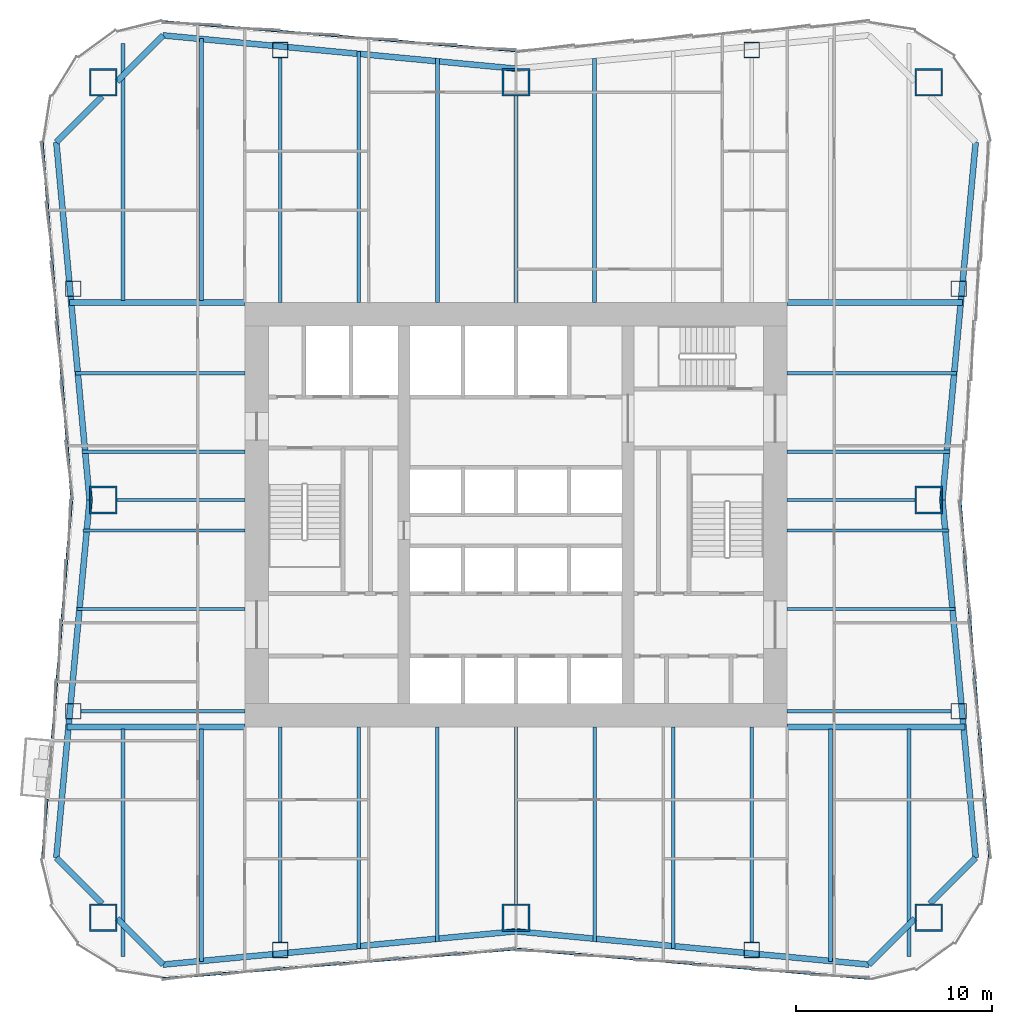
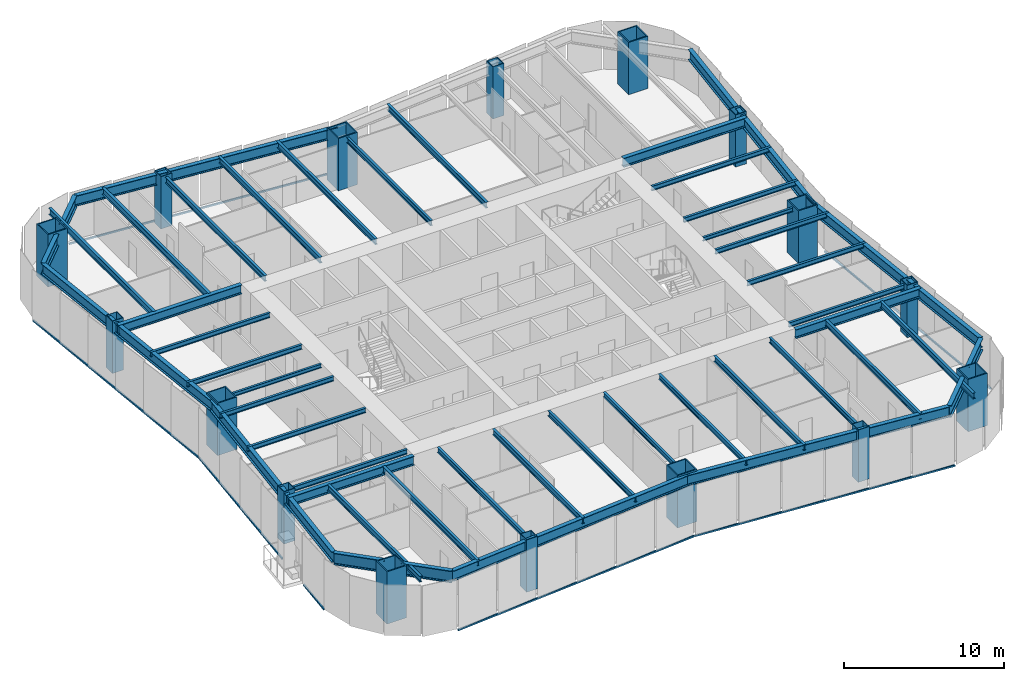
# One storey, part 1 of 9: 47 beams, 16 columns, 7 members, 4 elements without a shape of their own.
"""IFC4 building model written with IfcOpenShell, lengths in metres."""

from ifc_helpers import new_model, si_unit, direction, frame, origin, origin_2d, place, context, subcontext, project, spatial, rectangle, hollow_rectangle, i_section, extrude, material, material_profile, profile_set, type_object, element, aggregate, save


model = new_model("IFC4")

# Units and contexts
model_context = context("Model", 3, precision=1e-05, world=origin(), true_north=direction((0.0, 1.0)))
body_context = subcontext(model_context, "Body", "Model", "MODEL_VIEW")
ifc_project = project(units=[si_unit("LENGTHUNIT", "METRE"), si_unit("AREAUNIT", "SQUARE_METRE"), si_unit("VOLUMEUNIT", "CUBIC_METRE"), si_unit("PLANEANGLEUNIT", "RADIAN"), si_unit("MASSUNIT", "GRAM", prefix="KILO")], contexts=[model_context])

# Site, building, storey
site_placement = place(None, origin())
site = spatial("IfcSite", under=ifc_project, at=site_placement, CompositionType="ELEMENT")
building_placement = place(site_placement, origin())
building = spatial("IfcBuilding", under=site, at=building_placement, Name="Verdant Reach Tower", CompositionType="ELEMENT")
storey_placement = place(building_placement, frame((0.0, 0.0, 102.0)))
storey = spatial("IfcBuildingStorey", under=building, at=storey_placement, Name="L23", CompositionType="ELEMENT", Elevation=102.0)

# Columns
ifc_material_1 = material(Name="Steel S460", Category="steel")
ifc_material_profile_1 = material_profile(ifc_material_1, hollow_rectangle(XDim=1.39990234375, YDim=1.39990234375, WallThickness=0.080078125, at=origin_2d()), Name="WB 1400x1400x80")
ifc_profile_set_1 = profile_set([ifc_material_profile_1], Name="Steel S460")
column_type_1 = type_object("IfcColumnType", Name="ST-COL-WB1400x1400x80", PredefinedType="COLUMN", material=ifc_profile_set_1)
for number, where, z_axis, x_axis, name in (
    (1, (-21.0, 50.0, 0.0), (0.0, 0.0, 1.0), (1.0, 0.0, 0.0), "Mega column north-west, L23"),
    (2, (0.0, 50.0, 0.0), (0.0, 0.0, 1.0), (1.0, 0.0, 0.0), "Mega column north, L23"),
    (3, (21.0, 50.0, 0.0), (0.0, 0.0, 1.0), (1.0, 0.0, 0.0), "Mega column north-east, L23"),
    (4, (21.0, 28.75, 0.0), (0.0, 0.0, 1.0), (1.0, 0.0, 0.0), "Mega column east, L23"),
    (5, (21.0, 7.5, 0.0), (0.0, 0.0, 1.0), (1.0, 0.0, 0.0), "Mega column south-east, L23"),
    (6, (0.0, 7.5, 0.0), (0.0, 0.0, 1.0), (1.0, 0.0, 0.0), "Mega column south, L23"),
    (7, (-21.0, 7.5, 0.0), (0.0, 0.0, 1.0), (1.0, 0.0, 0.0), "Mega column south-west, L23"),
    (8, (-21.0, 28.75, 0.0), (0.0, 0.0, 1.0), (1.0, 0.0, 0.0), "Mega column west, L23"),
):
    element("IfcColumn", number, at=place(storey_placement, frame(where, z_axis=z_axis, x_axis=x_axis)), inside=storey, type_object=column_type_1, Name=name, PredefinedType="COLUMN", context=body_context, shape_type="SweptSolid", body=[
        extrude(hollow_rectangle(XDim=1.39990234375, YDim=1.39990234375, WallThickness=0.080078125, at=origin_2d()), origin(), (0.0, 0.0, 1.0), 4.0),
    ])
ifc_material_profile_2 = material_profile(ifc_material_1, hollow_rectangle(XDim=0.800048828125, YDim=0.800048828125, WallThickness=0.0400390625, at=origin_2d()), Name="WB 800x800x40")
ifc_profile_set_2 = profile_set([ifc_material_profile_2], Name="Steel S460")
column_type_2 = type_object("IfcColumnType", Name="ST-COL-WB800x800x40", PredefinedType="COLUMN", material=ifc_profile_set_2)
for number, where, z_axis, x_axis, name in (
    (9, (-12.0, 51.64990234375, 0.0), (0.0, 0.0, 1.0), (1.0, 0.0, 0.0), "Perimeter column north 1, L23"),
    (10, (12.0, 51.64990234375, 0.0), (0.0, 0.0, 1.0), (1.0, 0.0, 0.0), "Perimeter column north 2, L23"),
    (11, (-12.0, 5.85009765625, 0.0), (0.0, 0.0, 1.0), (1.0, 0.0, 0.0), "Perimeter column south 1, L23"),
    (12, (12.0, 5.85009765625, 0.0), (0.0, 0.0, 1.0), (1.0, 0.0, 0.0), "Perimeter column south 2, L23"),
    (13, (22.53369140625, 18.0, 0.0), (0.0, 0.0, 1.0), (1.0, 0.0, 0.0), "Perimeter column east 1, L23"),
    (14, (22.53369140625, 39.5, 0.0), (0.0, 0.0, 1.0), (1.0, 0.0, 0.0), "Perimeter column east 2, L23"),
    (15, (-22.53369140625, 18.0, 0.0), (0.0, 0.0, 1.0), (1.0, 0.0, 0.0), "Perimeter column west 1, L23"),
    (16, (-22.53369140625, 39.5, 0.0), (0.0, 0.0, 1.0), (1.0, 0.0, 0.0), "Perimeter column west 2, L23"),
):
    element("IfcColumn", number, at=place(storey_placement, frame(where, z_axis=z_axis, x_axis=x_axis)), inside=storey, type_object=column_type_2, Name=name, PredefinedType="COLUMN", context=body_context, shape_type="SweptSolid", body=[
        extrude(hollow_rectangle(XDim=0.800048828125, YDim=0.800048828125, WallThickness=0.0400390625, at=origin_2d()), origin(), (0.0, 0.0, 1.0), 4.0),
    ])

# Curtain wall, member
ifc_material_2 = material(Name="Anodised aluminium", Category="aluminium")
curtain_wall_type = type_object("IfcCurtainWallType", Name="EN-CW SYSTEM Z1", PredefinedType="NOTDEFINED", material=ifc_material_2)
curtain_wall_1_placement = place(storey_placement, origin())
curtain_wall_1 = element("IfcCurtainWall", 17, at=curtain_wall_1_placement, inside=storey, type_object=curtain_wall_type, Name="Curtain wall east, L23", PredefinedType="NOTDEFINED")
ifc_material_profile_3 = material_profile(ifc_material_2, rectangle(XDim=0.10009765625, YDim=0.1220703125, at=origin_2d()), Name="Transom 122x100")
ifc_profile_set_3 = profile_set([ifc_material_profile_3], Name="Anodised aluminium")
member_type = type_object("IfcMemberType", Name="EN-TRANSOM Z1", PredefinedType="USERDEFINED", material=ifc_profile_set_3)
member_1_placement = place(storey_placement, frame((24.100341796875, 10.52490234375, -0.2890625), z_axis=(-0.081886623329, 0.996641651207, 0.0), x_axis=(-0.996641651207, -0.081886623329, 0.0)))
member_1 = element("IfcMember", 18, at=member_1_placement, type_object=member_type, Name="Transom east face part 1 1.1, L23", ObjectType="TRANSOM", PredefinedType="USERDEFINED", context=body_context, shape_type="SweptSolid", body=[
    extrude(rectangle(XDim=0.10009765625, YDim=0.1220703125, at=origin_2d()), origin(), (0.0, 0.0, 1.0), 18.25537109375),
])
aggregate(curtain_wall_1, [member_1])

curtain_wall_2_placement = place(storey_placement, origin())
curtain_wall_2 = element("IfcCurtainWall", 19, at=curtain_wall_2_placement, inside=storey, type_object=curtain_wall_type, Name="Curtain wall north, L23", PredefinedType="NOTDEFINED")
member_2_placement = place(storey_placement, frame((-0.031005859375, 51.60546875, -0.2890625), z_axis=(-0.996547815143, 0.083020793384, 0.0), x_axis=(-0.083020793384, -0.996547815143, 0.0)))
member_2 = element("IfcMember", 20, at=member_2_placement, type_object=member_type, Name="Transom north face part 2 1.1, L23", ObjectType="TRANSOM", PredefinedType="USERDEFINED", context=body_context, shape_type="SweptSolid", body=[
    extrude(rectangle(XDim=0.10009765625, YDim=0.1220703125, at=origin_2d()), origin(), (0.0, 0.0, 1.0), 18.006103515625),
])
aggregate(curtain_wall_2, [member_2])

# Curtain wall, members
curtain_wall_3_placement = place(storey_placement, origin())
curtain_wall_3 = element("IfcCurtainWall", 21, at=curtain_wall_3_placement, inside=storey, type_object=curtain_wall_type, Name="Curtain wall west, L23", PredefinedType="NOTDEFINED")
member_3_placement = place(storey_placement, frame((-24.100341796875, 46.97509765625, -0.2890625), z_axis=(0.081886623329, -0.996641651207, 0.0), x_axis=(0.996641651207, 0.081886623329, 0.0)))
member_3 = element("IfcMember", 22, at=member_3_placement, type_object=member_type, Name="Transom west face part 1 1.1, L23", ObjectType="TRANSOM", PredefinedType="USERDEFINED", context=body_context, shape_type="SweptSolid", body=[
    extrude(rectangle(XDim=0.10009765625, YDim=0.1220703125, at=origin_2d()), origin(), (0.0, 0.0, 1.0), 18.25537109375),
])
member_4_placement = place(storey_placement, frame((-22.60546875, 28.718994140625, -0.2890625), z_axis=(-0.081948400518, -0.996636573507, 0.0), x_axis=(0.996636573507, -0.081948400518, 0.0)))
member_4 = element("IfcMember", 23, at=member_4_placement, type_object=member_type, Name="Transom west face part 2 1.1, L23", ObjectType="TRANSOM", PredefinedType="USERDEFINED", context=body_context, shape_type="SweptSolid", body=[
    extrude(rectangle(XDim=0.10009765625, YDim=0.1220703125, at=origin_2d()), origin(), (0.0, 0.0, 1.0), 12.13720703125),
])
member_5_placement = place(storey_placement, frame((-23.855224609375, 13.519287109375, -0.2890625), z_axis=(-0.081586055135, -0.996666301029, 0.0), x_axis=(0.996666301029, -0.081586055135, 0.0)))
member_5 = element("IfcMember", 24, at=member_5_placement, type_object=member_type, Name="Transom west face part 2 2.1, L23", ObjectType="TRANSOM", PredefinedType="USERDEFINED", context=body_context, shape_type="SweptSolid", body=[
    extrude(rectangle(XDim=0.10009765625, YDim=0.1220703125, at=origin_2d()), origin(), (0.0, 0.0, 1.0), 3.00439453125),
])
aggregate(curtain_wall_3, [member_3, member_4, member_5])

curtain_wall_4_placement = place(storey_placement, origin())
curtain_wall_4 = element("IfcCurtainWall", 25, at=curtain_wall_4_placement, inside=storey, type_object=curtain_wall_type, Name="Curtain wall south, L23", PredefinedType="NOTDEFINED")
member_6_placement = place(storey_placement, frame((-17.974853515625, 4.399658203125, -0.2890625), z_axis=(0.996547815143, 0.083020793384, 0.0), x_axis=(-0.083020793384, 0.996547815143, 0.0)))
member_6 = element("IfcMember", 26, at=member_6_placement, type_object=member_type, Name="Transom south face part 1 1.1, L23", ObjectType="TRANSOM", PredefinedType="USERDEFINED", context=body_context, shape_type="SweptSolid", body=[
    extrude(rectangle(XDim=0.10009765625, YDim=0.1220703125, at=origin_2d()), origin(), (0.0, 0.0, 1.0), 18.006103515625),
])
member_7_placement = place(storey_placement, frame((0.031005859375, 5.89453125, -0.2890625), z_axis=(0.996547815143, -0.083020793384, 0.0), x_axis=(0.083020793384, 0.996547815143, 0.0)))
member_7 = element("IfcMember", 27, at=member_7_placement, type_object=member_type, Name="Transom south face part 2 1.1, L23", ObjectType="TRANSOM", PredefinedType="USERDEFINED", context=body_context, shape_type="SweptSolid", body=[
    extrude(rectangle(XDim=0.10009765625, YDim=0.1220703125, at=origin_2d()), origin(), (0.0, 0.0, 1.0), 18.006103515625),
])
aggregate(curtain_wall_4, [member_6, member_7])

# Beams
ifc_material_3 = material(Name="Steel S355", Category="steel")
ifc_material_profile_4 = material_profile(ifc_material_3, i_section(OverallWidth=0.300048828125, OverallDepth=0.699951171875, WebThickness=0.01708984375, FlangeThickness=0.031982421875, FilletRadius=0.027099609375, at=origin_2d()), Name="HEB 700")
ifc_profile_set_4 = profile_set([ifc_material_profile_4], Name="Steel S355")
beam_type_1 = type_object("IfcBeamType", Name="ST-BEAM-HEB700", PredefinedType="BEAM", material=ifc_profile_set_4)
for number, where, z_axis, x_axis, name in (
    (28, (13.800048828125, 38.800048828125, 3.52001953125), (1.0, 0.0, 0.0), (0.0, 1.0, 0.0), "Trimmer beam, L23"),
    (29, (-13.800048828125, 38.800048828125, 3.52001953125), (-1.0, 0.0, 0.0), (0.0, -1.0, 0.0), "Trimmer beam, L23"),
):
    element("IfcBeam", number, at=place(storey_placement, frame(where, z_axis=z_axis, x_axis=x_axis)), inside=storey, type_object=beam_type_1, Name=name, PredefinedType="BEAM", context=body_context, shape_type="SweptSolid", body=[
        extrude(i_section(OverallWidth=0.300048828125, OverallDepth=0.699951171875, WebThickness=0.01708984375, FlangeThickness=0.031982421875, FilletRadius=0.027099609375, at=origin_2d()), origin(), (0.0, 0.0, 1.0), 8.924072265625),
    ])
for number, where, z_axis, x_axis, name in (
    (30, (13.800048828125, 17.199951171875, 3.52001953125), (1.0, 0.0, 0.0), (0.0, 1.0, 0.0), "Trimmer beam, L23"),
    (31, (-13.800048828125, 17.199951171875, 3.52001953125), (-1.0, 0.0, 0.0), (0.0, -1.0, 0.0), "Trimmer beam, L23"),
):
    element("IfcBeam", number, at=place(storey_placement, frame(where, z_axis=z_axis, x_axis=x_axis)), inside=storey, type_object=beam_type_1, Name=name, PredefinedType="BEAM", context=body_context, shape_type="SweptSolid", body=[
        extrude(i_section(OverallWidth=0.300048828125, OverallDepth=0.699951171875, WebThickness=0.01708984375, FlangeThickness=0.031982421875, FilletRadius=0.027099609375, at=origin_2d()), origin(), (0.0, 0.0, 1.0), 9.04736328125),
    ])
ifc_material_profile_5 = material_profile(ifc_material_3, i_section(OverallWidth=0.14990234375, OverallDepth=0.300048828125, WebThickness=0.007080078125, FlangeThickness=0.0107421875, FilletRadius=0.014892578125, at=origin_2d()), Name="IPE 300")
ifc_profile_set_5 = profile_set([ifc_material_profile_5], Name="Steel S355")
beam_type_2 = type_object("IfcBeamType", Name="ST-JOIST-IPE300", PredefinedType="JOIST", material=ifc_profile_set_5)
for number, where, z_axis, x_axis, name in (
    (32, (13.800048828125, 28.75, 3.719970703125), (1.0, 0.0, 0.0), (0.0, 1.0, 0.0), "Floor joist, L23"),
    (33, (-13.800048828125, 28.75, 3.719970703125), (-1.0, 0.0, 0.0), (0.0, -1.0, 0.0), "Floor joist, L23"),
):
    element("IfcBeam", number, at=place(storey_placement, frame(where, z_axis=z_axis, x_axis=x_axis)), inside=storey, type_object=beam_type_2, Name=name, PredefinedType="JOIST", context=body_context, shape_type="SweptSolid", body=[
        extrude(i_section(OverallWidth=0.14990234375, OverallDepth=0.300048828125, WebThickness=0.007080078125, FlangeThickness=0.0107421875, FilletRadius=0.014892578125, at=origin_2d()), origin(), (0.0, 0.0, 1.0), 6.5),
    ])
ifc_material_profile_6 = material_profile(ifc_material_3, i_section(OverallWidth=0.169921875, OverallDepth=0.360107421875, WebThickness=0.008056640625, FlangeThickness=0.0126953125, FilletRadius=0.01806640625, at=origin_2d()), Name="IPE 360")
ifc_profile_set_6 = profile_set([ifc_material_profile_6], Name="Steel S355")
beam_type_3 = type_object("IfcBeamType", Name="ST-JOIST-IPE360", PredefinedType="JOIST", material=ifc_profile_set_6)
beam_1_placement = place(storey_placement, frame((0.0, 17.199951171875, 3.68994140625), z_axis=(0.0, -1.0, 0.0), x_axis=(1.0, 0.0, 0.0)))
element("IfcBeam", 34, at=beam_1_placement, inside=storey, type_object=beam_type_3, Name="Floor joist, L23", PredefinedType="JOIST", context=body_context, shape_type="SweptSolid", body=[
    extrude(i_section(OverallWidth=0.169921875, OverallDepth=0.360107421875, WebThickness=0.008056640625, FlangeThickness=0.0126953125, FilletRadius=0.01806640625, at=origin_2d()), origin(), (0.0, 0.0, 1.0), 9.0),
])
for number, where, z_axis, x_axis, name in (
    (35, (13.800048828125, 18.0, 3.68994140625), (1.0, 0.0, 0.0), (0.0, 1.0, 0.0), "Floor joist, L23"),
    (36, (-13.800048828125, 18.0, 3.68994140625), (-1.0, 0.0, 0.0), (0.0, -1.0, 0.0), "Floor joist, L23"),
):
    element("IfcBeam", number, at=place(storey_placement, frame(where, z_axis=z_axis, x_axis=x_axis)), inside=storey, type_object=beam_type_3, Name=name, PredefinedType="JOIST", context=body_context, shape_type="SweptSolid", body=[
        extrude(i_section(OverallWidth=0.169921875, OverallDepth=0.360107421875, WebThickness=0.008056640625, FlangeThickness=0.0126953125, FilletRadius=0.01806640625, at=origin_2d()), origin(), (0.0, 0.0, 1.0), 8.33349609375),
    ])
for number, where, z_axis, x_axis, name in (
    (37, (13.800048828125, 23.199951171875, 3.68994140625), (1.0, 0.0, 0.0), (0.0, 1.0, 0.0), "Floor joist, L23"),
    (38, (-13.800048828125, 23.199951171875, 3.68994140625), (-1.0, 0.0, 0.0), (0.0, -1.0, 0.0), "Floor joist, L23"),
):
    element("IfcBeam", number, at=place(storey_placement, frame(where, z_axis=z_axis, x_axis=x_axis)), inside=storey, type_object=beam_type_3, Name=name, PredefinedType="JOIST", context=body_context, shape_type="SweptSolid", body=[
        extrude(i_section(OverallWidth=0.169921875, OverallDepth=0.360107421875, WebThickness=0.008056640625, FlangeThickness=0.0126953125, FilletRadius=0.01806640625, at=origin_2d()), origin(), (0.0, 0.0, 1.0), 8.553955078125),
    ])
for number, where, z_axis, x_axis, name in (
    (39, (13.800048828125, 27.199951171875, 3.68994140625), (1.0, 0.0, 0.0), (0.0, 1.0, 0.0), "Floor joist, L23"),
    (40, (-13.800048828125, 27.199951171875, 3.68994140625), (-1.0, 0.0, 0.0), (0.0, -1.0, 0.0), "Floor joist, L23"),
):
    element("IfcBeam", number, at=place(storey_placement, frame(where, z_axis=z_axis, x_axis=x_axis)), inside=storey, type_object=beam_type_3, Name=name, PredefinedType="JOIST", context=body_context, shape_type="SweptSolid", body=[
        extrude(i_section(OverallWidth=0.169921875, OverallDepth=0.360107421875, WebThickness=0.008056640625, FlangeThickness=0.0126953125, FilletRadius=0.01806640625, at=origin_2d()), origin(), (0.0, 0.0, 1.0), 8.225341796875),
    ])
for number, where, z_axis, x_axis, name in (
    (41, (13.800048828125, 31.199951171875, 3.68994140625), (1.0, 0.0, 0.0), (0.0, 1.0, 0.0), "Floor joist, L23"),
    (42, (-13.800048828125, 31.199951171875, 3.68994140625), (-1.0, 0.0, 0.0), (0.0, -1.0, 0.0), "Floor joist, L23"),
):
    element("IfcBeam", number, at=place(storey_placement, frame(where, z_axis=z_axis, x_axis=x_axis)), inside=storey, type_object=beam_type_3, Name=name, PredefinedType="JOIST", context=body_context, shape_type="SweptSolid", body=[
        extrude(i_section(OverallWidth=0.169921875, OverallDepth=0.360107421875, WebThickness=0.008056640625, FlangeThickness=0.0126953125, FilletRadius=0.01806640625, at=origin_2d()), origin(), (0.0, 0.0, 1.0), 8.29931640625),
    ])
for number, where, z_axis, x_axis, name in (
    (43, (13.800048828125, 35.199951171875, 3.68994140625), (1.0, 0.0, 0.0), (0.0, 1.0, 0.0), "Floor joist, L23"),
    (44, (-13.800048828125, 35.199951171875, 3.68994140625), (-1.0, 0.0, 0.0), (0.0, -1.0, 0.0), "Floor joist, L23"),
):
    element("IfcBeam", number, at=place(storey_placement, frame(where, z_axis=z_axis, x_axis=x_axis)), inside=storey, type_object=beam_type_3, Name=name, PredefinedType="JOIST", context=body_context, shape_type="SweptSolid", body=[
        extrude(i_section(OverallWidth=0.169921875, OverallDepth=0.360107421875, WebThickness=0.008056640625, FlangeThickness=0.0126953125, FilletRadius=0.01806640625, at=origin_2d()), origin(), (0.0, 0.0, 1.0), 8.6279296875),
    ])
ifc_material_profile_7 = material_profile(ifc_material_3, i_section(OverallWidth=0.179931640625, OverallDepth=0.39990234375, WebThickness=0.008544921875, FlangeThickness=0.013427734375, FilletRadius=0.02099609375, at=origin_2d()), Name="IPE 400")
ifc_profile_set_7 = profile_set([ifc_material_profile_7], Name="Steel S355")
beam_type_4 = type_object("IfcBeamType", Name="ST-JOIST-IPE400", PredefinedType="JOIST", material=ifc_profile_set_7)
beam_2_placement = place(storey_placement, frame((-12.0, 17.199951171875, 3.669921875), z_axis=(0.0, -1.0, 0.0), x_axis=(1.0, 0.0, 0.0)))
element("IfcBeam", 45, at=beam_2_placement, inside=storey, type_object=beam_type_4, Name="Floor joist, L23", PredefinedType="JOIST", context=body_context, shape_type="SweptSolid", body=[
    extrude(i_section(OverallWidth=0.179931640625, OverallDepth=0.39990234375, WebThickness=0.008544921875, FlangeThickness=0.013427734375, FilletRadius=0.02099609375, at=origin_2d()), origin(), (0.0, 0.0, 1.0), 10.949951171875),
])
beam_3_placement = place(storey_placement, frame((-4.0, 17.199951171875, 3.669921875), z_axis=(0.0, -1.0, 0.0), x_axis=(1.0, 0.0, 0.0)))
element("IfcBeam", 46, at=beam_3_placement, inside=storey, type_object=beam_type_4, Name="Floor joist, L23", PredefinedType="JOIST", context=body_context, shape_type="SweptSolid", body=[
    extrude(i_section(OverallWidth=0.179931640625, OverallDepth=0.39990234375, WebThickness=0.008544921875, FlangeThickness=0.013427734375, FilletRadius=0.02099609375, at=origin_2d()), origin(), (0.0, 0.0, 1.0), 10.93115234375),
])
beam_4_placement = place(storey_placement, frame((0.0, 38.800048828125, 3.669921875), z_axis=(0.0, 1.0, 0.0), x_axis=(-1.0, 0.0, 0.0)))
element("IfcBeam", 47, at=beam_4_placement, inside=storey, type_object=beam_type_4, Name="Floor joist, L23", PredefinedType="JOIST", context=body_context, shape_type="SweptSolid", body=[
    extrude(i_section(OverallWidth=0.179931640625, OverallDepth=0.39990234375, WebThickness=0.008544921875, FlangeThickness=0.013427734375, FilletRadius=0.02099609375, at=origin_2d()), origin(), (0.0, 0.0, 1.0), 10.5),
])
beam_5_placement = place(storey_placement, frame((4.0, 17.199951171875, 3.669921875), z_axis=(0.0, -1.0, 0.0), x_axis=(1.0, 0.0, 0.0)))
element("IfcBeam", 48, at=beam_5_placement, inside=storey, type_object=beam_type_4, Name="Floor joist, L23", PredefinedType="JOIST", context=body_context, shape_type="SweptSolid", body=[
    extrude(i_section(OverallWidth=0.179931640625, OverallDepth=0.39990234375, WebThickness=0.008544921875, FlangeThickness=0.013427734375, FilletRadius=0.02099609375, at=origin_2d()), origin(), (0.0, 0.0, 1.0), 10.93115234375),
])
beam_6_placement = place(storey_placement, frame((12.0, 17.199951171875, 3.669921875), z_axis=(0.0, -1.0, 0.0), x_axis=(1.0, 0.0, 0.0)))
element("IfcBeam", 49, at=beam_6_placement, inside=storey, type_object=beam_type_4, Name="Floor joist, L23", PredefinedType="JOIST", context=body_context, shape_type="SweptSolid", body=[
    extrude(i_section(OverallWidth=0.179931640625, OverallDepth=0.39990234375, WebThickness=0.008544921875, FlangeThickness=0.013427734375, FilletRadius=0.02099609375, at=origin_2d()), origin(), (0.0, 0.0, 1.0), 10.949951171875),
])
ifc_material_profile_8 = material_profile(ifc_material_3, i_section(OverallWidth=0.18994140625, OverallDepth=0.449951171875, WebThickness=0.009521484375, FlangeThickness=0.0146484375, FilletRadius=0.02099609375, at=origin_2d()), Name="IPE 450")
ifc_profile_set_8 = profile_set([ifc_material_profile_8], Name="Steel S355")
beam_type_5 = type_object("IfcBeamType", Name="ST-JOIST-IPE450", PredefinedType="JOIST", material=ifc_profile_set_8)
beam_7_placement = place(storey_placement, frame((-20.0, 17.10009765625, 3.64501953125), z_axis=(0.0, -1.0, 0.0), x_axis=(1.0, 0.0, 0.0)))
element("IfcBeam", 50, at=beam_7_placement, inside=storey, type_object=beam_type_5, Name="Floor joist, L23", PredefinedType="JOIST", context=body_context, shape_type="SweptSolid", body=[
    extrude(i_section(OverallWidth=0.18994140625, OverallDepth=0.449951171875, WebThickness=0.009521484375, FlangeThickness=0.0146484375, FilletRadius=0.02099609375, at=origin_2d()), origin(), (0.0, 0.0, 1.0), 11.590576171875),
])
beam_8_placement = place(storey_placement, frame((-16.0, 17.10009765625, 3.64501953125), z_axis=(0.0, -1.0, 0.0), x_axis=(1.0, 0.0, 0.0)))
element("IfcBeam", 51, at=beam_8_placement, inside=storey, type_object=beam_type_5, Name="Floor joist, L23", PredefinedType="JOIST", context=body_context, shape_type="SweptSolid", body=[
    extrude(i_section(OverallWidth=0.18994140625, OverallDepth=0.449951171875, WebThickness=0.009521484375, FlangeThickness=0.0146484375, FilletRadius=0.02099609375, at=origin_2d()), origin(), (0.0, 0.0, 1.0), 11.831298828125),
])
beam_9_placement = place(storey_placement, frame((-12.0, 38.800048828125, 3.64501953125), z_axis=(0.0, 1.0, 0.0), x_axis=(-1.0, 0.0, 0.0)))
element("IfcBeam", 52, at=beam_9_placement, inside=storey, type_object=beam_type_5, Name="Floor joist, L23", PredefinedType="JOIST", context=body_context, shape_type="SweptSolid", body=[
    extrude(i_section(OverallWidth=0.18994140625, OverallDepth=0.449951171875, WebThickness=0.009521484375, FlangeThickness=0.0146484375, FilletRadius=0.02099609375, at=origin_2d()), origin(), (0.0, 0.0, 1.0), 12.449951171875),
])
beam_10_placement = place(storey_placement, frame((-8.0, 38.800048828125, 3.64501953125), z_axis=(0.0, 1.0, 0.0), x_axis=(-1.0, 0.0, 0.0)))
element("IfcBeam", 53, at=beam_10_placement, inside=storey, type_object=beam_type_5, Name="Floor joist, L23", PredefinedType="JOIST", context=body_context, shape_type="SweptSolid", body=[
    extrude(i_section(OverallWidth=0.18994140625, OverallDepth=0.449951171875, WebThickness=0.009521484375, FlangeThickness=0.0146484375, FilletRadius=0.02099609375, at=origin_2d()), origin(), (0.0, 0.0, 1.0), 12.7646484375),
])
beam_11_placement = place(storey_placement, frame((-8.0, 17.199951171875, 3.64501953125), z_axis=(0.0, -1.0, 0.0), x_axis=(1.0, 0.0, 0.0)))
element("IfcBeam", 54, at=beam_11_placement, inside=storey, type_object=beam_type_5, Name="Floor joist, L23", PredefinedType="JOIST", context=body_context, shape_type="SweptSolid", body=[
    extrude(i_section(OverallWidth=0.18994140625, OverallDepth=0.449951171875, WebThickness=0.009521484375, FlangeThickness=0.0146484375, FilletRadius=0.02099609375, at=origin_2d()), origin(), (0.0, 0.0, 1.0), 11.2646484375),
])
for number, where, z_axis, x_axis, name in (
    (55, (-4.0, 38.800048828125, 3.64501953125), (0.0, 1.0, 0.0), (-1.0, 0.0, 0.0), "Floor joist, L23"),
    (56, (4.0, 38.800048828125, 3.64501953125), (0.0, 1.0, 0.0), (-1.0, 0.0, 0.0), "Floor joist, L23"),
):
    element("IfcBeam", number, at=place(storey_placement, frame(where, z_axis=z_axis, x_axis=x_axis)), inside=storey, type_object=beam_type_5, Name=name, PredefinedType="JOIST", context=body_context, shape_type="SweptSolid", body=[
        extrude(i_section(OverallWidth=0.18994140625, OverallDepth=0.449951171875, WebThickness=0.009521484375, FlangeThickness=0.0146484375, FilletRadius=0.02099609375, at=origin_2d()), origin(), (0.0, 0.0, 1.0), 12.43115234375),
    ])
beam_12_placement = place(storey_placement, frame((8.0, 17.199951171875, 3.64501953125), z_axis=(0.0, -1.0, 0.0), x_axis=(1.0, 0.0, 0.0)))
element("IfcBeam", 57, at=beam_12_placement, inside=storey, type_object=beam_type_5, Name="Floor joist, L23", PredefinedType="JOIST", context=body_context, shape_type="SweptSolid", body=[
    extrude(i_section(OverallWidth=0.18994140625, OverallDepth=0.449951171875, WebThickness=0.009521484375, FlangeThickness=0.0146484375, FilletRadius=0.02099609375, at=origin_2d()), origin(), (0.0, 0.0, 1.0), 11.2646484375),
])
beam_13_placement = place(storey_placement, frame((16.0, 17.10009765625, 3.64501953125), z_axis=(0.0, -1.0, 0.0), x_axis=(1.0, 0.0, 0.0)))
element("IfcBeam", 58, at=beam_13_placement, inside=storey, type_object=beam_type_5, Name="Floor joist, L23", PredefinedType="JOIST", context=body_context, shape_type="SweptSolid", body=[
    extrude(i_section(OverallWidth=0.18994140625, OverallDepth=0.449951171875, WebThickness=0.009521484375, FlangeThickness=0.0146484375, FilletRadius=0.02099609375, at=origin_2d()), origin(), (0.0, 0.0, 1.0), 11.831298828125),
])
beam_14_placement = place(storey_placement, frame((20.0, 17.10009765625, 3.64501953125), z_axis=(0.0, -1.0, 0.0), x_axis=(1.0, 0.0, 0.0)))
element("IfcBeam", 59, at=beam_14_placement, inside=storey, type_object=beam_type_5, Name="Floor joist, L23", PredefinedType="JOIST", context=body_context, shape_type="SweptSolid", body=[
    extrude(i_section(OverallWidth=0.18994140625, OverallDepth=0.449951171875, WebThickness=0.009521484375, FlangeThickness=0.0146484375, FilletRadius=0.02099609375, at=origin_2d()), origin(), (0.0, 0.0, 1.0), 11.590576171875),
])
ifc_material_profile_9 = material_profile(ifc_material_3, i_section(OverallWidth=0.199951171875, OverallDepth=0.5, WebThickness=0.01025390625, FlangeThickness=0.01611328125, FilletRadius=0.02099609375, at=origin_2d()), Name="IPE 500")
ifc_profile_set_9 = profile_set([ifc_material_profile_9], Name="Steel S355")
beam_type_6 = type_object("IfcBeamType", Name="ST-JOIST-IPE500", PredefinedType="JOIST", material=ifc_profile_set_9)
beam_15_placement = place(storey_placement, frame((-20.0, 38.89990234375, 3.6201171875), z_axis=(0.0, 1.0, 0.0), x_axis=(-1.0, 0.0, 0.0)))
element("IfcBeam", 60, at=beam_15_placement, inside=storey, type_object=beam_type_6, Name="Floor joist, L23", PredefinedType="JOIST", context=body_context, shape_type="SweptSolid", body=[
    extrude(i_section(OverallWidth=0.199951171875, OverallDepth=0.5, WebThickness=0.01025390625, FlangeThickness=0.01611328125, FilletRadius=0.02099609375, at=origin_2d()), origin(), (0.0, 0.0, 1.0), 13.090576171875),
])
beam_16_placement = place(storey_placement, frame((-16.0, 38.89990234375, 3.6201171875), z_axis=(0.0, 1.0, 0.0), x_axis=(-1.0, 0.0, 0.0)))
element("IfcBeam", 61, at=beam_16_placement, inside=storey, type_object=beam_type_6, Name="Floor joist, L23", PredefinedType="JOIST", context=body_context, shape_type="SweptSolid", body=[
    extrude(i_section(OverallWidth=0.199951171875, OverallDepth=0.5, WebThickness=0.01025390625, FlangeThickness=0.01611328125, FilletRadius=0.02099609375, at=origin_2d()), origin(), (0.0, 0.0, 1.0), 13.331298828125),
])
ifc_material_profile_10 = material_profile(ifc_material_3, i_section(OverallWidth=0.300048828125, OverallDepth=0.800048828125, WebThickness=0.017578125, FlangeThickness=0.032958984375, FilletRadius=0.030029296875, at=origin_2d()), Name="HEB 800")
ifc_profile_set_10 = profile_set([ifc_material_profile_10], Name="Steel S355")
beam_type_7 = type_object("IfcBeamType", Name="ST-SPANDREL-HEB800", PredefinedType="SPANDREL", material=ifc_profile_set_10)
for number, where, z_axis, x_axis, name in (
    (62, (17.9658203125, 5.10498046875, 3.469970703125), (-0.995578571765, 0.093932462137, 0.0), (-0.093932462137, -0.995578571765, 0.0), "Edge beam, L23"),
    (63, (0.0, 6.800048828125, 3.469970703125), (-0.995578571765, -0.093932462137, 0.0), (0.093932462137, -0.995578571765, 0.0), "Edge beam, L23"),
):
    element("IfcBeam", number, at=place(storey_placement, frame(where, z_axis=z_axis, x_axis=x_axis)), inside=storey, type_object=beam_type_7, Name=name, PredefinedType="SPANDREL", context=body_context, shape_type="SweptSolid", body=[
        extrude(i_section(OverallWidth=0.300048828125, OverallDepth=0.800048828125, WebThickness=0.017578125, FlangeThickness=0.032958984375, FilletRadius=0.030029296875, at=origin_2d()), origin(), (0.0, 0.0, 1.0), 18.045654296875),
    ])
for number, where, z_axis, x_axis, name in (
    (64, (-23.39501953125, 10.53466796875, 3.469970703125), (0.092656907618, 0.995698095544, 0.0), (-0.995698095544, 0.092656907618, 0.0), "Edge beam, L23"),
    (65, (-21.699951171875, 28.75, 3.469970703125), (-0.092656907618, 0.995698095544, 0.0), (-0.995698095544, -0.092656907618, 0.0), "Edge beam, L23"),
):
    element("IfcBeam", number, at=place(storey_placement, frame(where, z_axis=z_axis, x_axis=x_axis)), inside=storey, type_object=beam_type_7, Name=name, PredefinedType="SPANDREL", context=body_context, shape_type="SweptSolid", body=[
        extrude(i_section(OverallWidth=0.300048828125, OverallDepth=0.800048828125, WebThickness=0.017578125, FlangeThickness=0.032958984375, FilletRadius=0.030029296875, at=origin_2d()), origin(), (0.0, 0.0, 1.0), 18.2939453125),
    ])
beam_17_placement = place(storey_placement, frame((-17.9658203125, 52.39501953125, 3.469970703125), z_axis=(0.995578571765, -0.093932462137, 0.0), x_axis=(0.093932462137, 0.995578571765, 0.0)))
element("IfcBeam", 66, at=beam_17_placement, inside=storey, type_object=beam_type_7, Name="Edge beam, L23", PredefinedType="SPANDREL", context=body_context, shape_type="SweptSolid", body=[
    extrude(i_section(OverallWidth=0.300048828125, OverallDepth=0.800048828125, WebThickness=0.017578125, FlangeThickness=0.032958984375, FilletRadius=0.030029296875, at=origin_2d()), origin(), (0.0, 0.0, 1.0), 18.045654296875),
])
for number, where, z_axis, x_axis, name in (
    (67, (23.39501953125, 46.96533203125, 3.469970703125), (-0.092656907618, -0.995698095544, 0.0), (0.995698095544, -0.092656907618, 0.0), "Edge beam, L23"),
    (68, (21.699951171875, 28.75, 3.469970703125), (0.092656907618, -0.995698095544, 0.0), (0.995698095544, 0.092656907618, 0.0), "Edge beam, L23"),
):
    element("IfcBeam", number, at=place(storey_placement, frame(where, z_axis=z_axis, x_axis=x_axis)), inside=storey, type_object=beam_type_7, Name=name, PredefinedType="SPANDREL", context=body_context, shape_type="SweptSolid", body=[
        extrude(i_section(OverallWidth=0.300048828125, OverallDepth=0.800048828125, WebThickness=0.017578125, FlangeThickness=0.032958984375, FilletRadius=0.030029296875, at=origin_2d()), origin(), (0.0, 0.0, 1.0), 18.2939453125),
    ])
ifc_material_profile_11 = material_profile(ifc_material_3, i_section(OverallWidth=0.302001953125, OverallDepth=0.909912109375, WebThickness=0.02099609375, FlangeThickness=0.0400390625, FilletRadius=0.030029296875, at=origin_2d()), Name="HEM 900")
ifc_profile_set_11 = profile_set([ifc_material_profile_11], Name="Steel S355")
beam_type_8 = type_object("IfcBeamType", Name="ST-SPANDREL-HEM900", PredefinedType="SPANDREL", material=ifc_profile_set_11)
beam_18_placement = place(storey_placement, frame((-17.9658203125, 5.10498046875, 3.4150390625), z_axis=(-0.707106781187, 0.707106781187, 0.0), x_axis=(-0.707106781187, -0.707106781187, 0.0)))
element("IfcBeam", 69, at=beam_18_placement, inside=storey, type_object=beam_type_8, Name="Edge beam, L23", PredefinedType="SPANDREL", context=body_context, shape_type="SweptSolid", body=[
    extrude(i_section(OverallWidth=0.302001953125, OverallDepth=0.909912109375, WebThickness=0.02099609375, FlangeThickness=0.0400390625, FilletRadius=0.030029296875, at=origin_2d()), origin(), (0.0, 0.0, 1.0), 3.301025390625),
])
for number, where, z_axis, x_axis, name in (
    (70, (-21.060546875, 8.199951171875, 3.4150390625), (-0.707069807316, 0.707143753123, 0.0), (-0.707143753123, -0.707069807316, 0.0), "Edge beam, L23"),
    (71, (-23.39501953125, 46.96533203125, 3.4150390625), (0.707069807316, 0.707143753123, 0.0), (-0.707143753123, 0.707069807316, 0.0), "Edge beam, L23"),
):
    element("IfcBeam", number, at=place(storey_placement, frame(where, z_axis=z_axis, x_axis=x_axis)), inside=storey, type_object=beam_type_8, Name=name, PredefinedType="SPANDREL", context=body_context, shape_type="SweptSolid", body=[
        extrude(i_section(OverallWidth=0.302001953125, OverallDepth=0.909912109375, WebThickness=0.02099609375, FlangeThickness=0.0400390625, FilletRadius=0.030029296875, at=origin_2d()), origin(), (0.0, 0.0, 1.0), 3.301513671875),
    ])
beam_19_placement = place(storey_placement, frame((-20.300048828125, 50.060791015625, 3.4150390625), z_axis=(0.707106781187, 0.707106781187, 0.0), x_axis=(-0.707106781187, 0.707106781187, 0.0)))
element("IfcBeam", 72, at=beam_19_placement, inside=storey, type_object=beam_type_8, Name="Edge beam, L23", PredefinedType="SPANDREL", context=body_context, shape_type="SweptSolid", body=[
    extrude(i_section(OverallWidth=0.302001953125, OverallDepth=0.909912109375, WebThickness=0.02099609375, FlangeThickness=0.0400390625, FilletRadius=0.030029296875, at=origin_2d()), origin(), (0.0, 0.0, 1.0), 3.301025390625),
])
beam_20_placement = place(storey_placement, frame((23.39501953125, 10.53466796875, 3.4150390625), z_axis=(-0.707069807316, -0.707143753123, 0.0), x_axis=(0.707143753123, -0.707069807316, 0.0)))
element("IfcBeam", 73, at=beam_20_placement, inside=storey, type_object=beam_type_8, Name="Edge beam, L23", PredefinedType="SPANDREL", context=body_context, shape_type="SweptSolid", body=[
    extrude(i_section(OverallWidth=0.302001953125, OverallDepth=0.909912109375, WebThickness=0.02099609375, FlangeThickness=0.0400390625, FilletRadius=0.030029296875, at=origin_2d()), origin(), (0.0, 0.0, 1.0), 3.301513671875),
])
beam_21_placement = place(storey_placement, frame((20.300048828125, 7.439208984375, 3.4150390625), z_axis=(-0.707106781187, -0.707106781187, 0.0), x_axis=(0.707106781187, -0.707106781187, 0.0)))
element("IfcBeam", 74, at=beam_21_placement, inside=storey, type_object=beam_type_8, Name="Edge beam, L23", PredefinedType="SPANDREL", context=body_context, shape_type="SweptSolid", body=[
    extrude(i_section(OverallWidth=0.302001953125, OverallDepth=0.909912109375, WebThickness=0.02099609375, FlangeThickness=0.0400390625, FilletRadius=0.030029296875, at=origin_2d()), origin(), (0.0, 0.0, 1.0), 3.301025390625),
])

save(model, "model.ifc")
